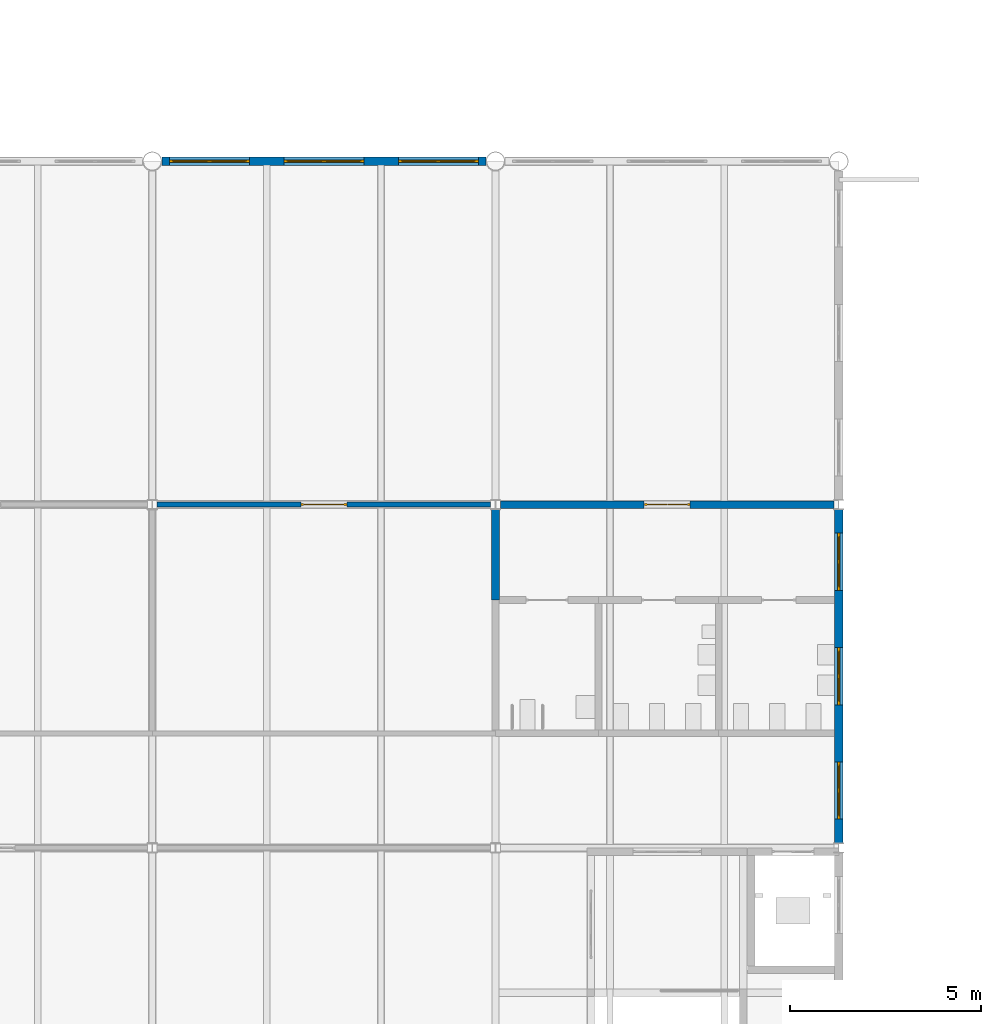
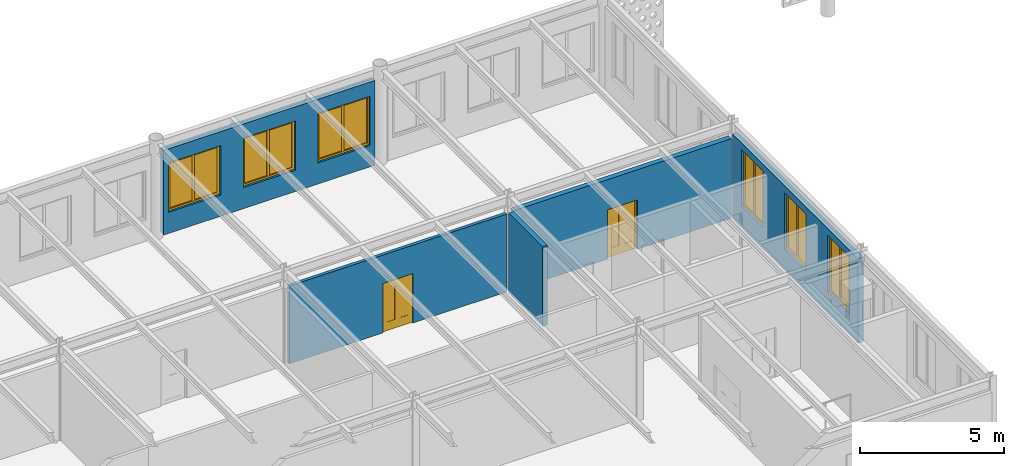
# One storey, part 78 of 123: 6 windows, 5 walls, 2 doors, 8 openings.
"""IFC4 building model written with IfcOpenShell, lengths in metres."""

import ifcopenshell
import ifcopenshell.guid

model = None  # the IFC model being written
_history = None  # IfcOwnerHistory: only IFC2X3 demands one
_inside = {}  # id of a spatial element -> (the spatial element, [elements in it])
_under = {}  # id of a project, library or spatial element -> (it, [spatial elements below it])
_declared = {}  # id of a project -> (the project, [libraries it declares])
_typed = {}  # id of a type object -> (the type object, [elements of that type])
_made_of = {}  # id of a material, layer set ... -> (it, [elements and type objects made of it])


def new_model(schema):
    """Start an empty IFC model of exactly this schema.

    Asked for "IFC4X3", IfcOpenShell would pick the latest addendum, in which some entities
    have other attributes; the version numbers below select the first issue.
    IFC2X3 requires an IfcOwnerHistory on every rooted entity: one is made here for all.
    """
    global model, _history
    if schema == "IFC4X3":
        model = ifcopenshell.file(schema_version=(4, 3, 0, 0))
    else:
        model = ifcopenshell.file(schema=schema)
    _inside.clear()
    _under.clear()
    _declared.clear()
    _typed.clear()
    _made_of.clear()
    _history = None
    if model.schema == "IFC2X3":
        org = make("IfcOrganization", Name="unknown")
        user = make(
            "IfcPersonAndOrganization",
            ThePerson=make("IfcPerson", FamilyName="unknown"),
            TheOrganization=org,
        )
        app = make(
            "IfcApplication",
            ApplicationDeveloper=org,
            Version="unknown",
            ApplicationFullName="unknown",
            ApplicationIdentifier="unknown",
        )
        _history = make(
            "IfcOwnerHistory",
            OwningUser=user,
            OwningApplication=app,
            ChangeAction="ADDED",
            CreationDate=0,
        )
    return model


def make(cls, **values):
    """One entity of the class cls with the attributes given. An attribute that is None is left unset."""
    return model.create_entity(
        cls, **{name: value for name, value in values.items() if value is not None}
    )


def rooted(cls, **values):
    """An entity with a GlobalId (a new one), such as an element, a storey or a relation."""
    return make(cls, GlobalId=ifcopenshell.guid.new(), OwnerHistory=_history, **values)


def si_unit(unit_type, name, prefix=None):
    """IfcSIUnit, for example si_unit("LENGTHUNIT", "METRE", prefix="MILLI")."""
    return make("IfcSIUnit", UnitType=unit_type, Prefix=prefix, Name=name)


def assignment(units):
    """IfcUnitAssignment: the units of a project."""
    return None if units is None else make("IfcUnitAssignment", Units=units)


def point(xyz):
    """IfcCartesianPoint."""
    return None if xyz is None else make("IfcCartesianPoint", Coordinates=xyz)


def direction(xyz):
    """IfcDirection."""
    return None if xyz is None else make("IfcDirection", DirectionRatios=xyz)


def frame(location, z_axis=None, x_axis=None):
    """IfcAxis2Placement3D, a coordinate frame: its origin and axes. An axis left out is left unset."""
    return make(
        "IfcAxis2Placement3D",
        Location=point(location),
        Axis=direction(z_axis),
        RefDirection=direction(x_axis),
    )


def frame_2d(location, x_axis=None):
    """IfcAxis2Placement2D, a coordinate frame in the plane: its origin and x axis."""
    return make(
        "IfcAxis2Placement2D", Location=point(location), RefDirection=direction(x_axis)
    )


def origin():
    """The frame at (0, 0, 0) with its axes left unset."""
    return frame((0.0, 0.0, 0.0))


def place(relative_to, where):
    """IfcLocalPlacement: puts the frame where relative to a parent placement (None: the world)."""
    return make(
        "IfcLocalPlacement", PlacementRelTo=relative_to, RelativePlacement=where
    )


def context(
    kind, dimensions, precision=None, world=None, true_north=None, identifier=None
):
    """IfcGeometricRepresentationContext, for example the 3D "Model" context."""
    return make(
        "IfcGeometricRepresentationContext",
        ContextIdentifier=identifier,
        ContextType=kind,
        CoordinateSpaceDimension=dimensions,
        Precision=precision,
        WorldCoordinateSystem=world,
        TrueNorth=true_north,
    )


def subcontext(parent, identifier, kind, view, scale=None):
    """IfcGeometricRepresentationSubContext, for example "Body" below "Model"."""
    return make(
        "IfcGeometricRepresentationSubContext",
        ContextIdentifier=identifier,
        ContextType=kind,
        ParentContext=parent,
        TargetScale=scale,
        TargetView=view,
    )


def project(units=None, contexts=None):
    """IfcProject with its units and contexts."""
    return rooted(
        "IfcProject",
        Name="project",
        RepresentationContexts=contexts,
        UnitsInContext=assignment(units),
    )


def spatial(cls, under=None, at=None, **own):
    """A site, building, storey or space (cls), placed at a placement, below another one or the project."""
    s = rooted(cls, ObjectPlacement=at, **own)
    if under is not None:
        _under.setdefault(under.id(), (under, []))[1].append(s)
    return s


def polyline(points):
    """IfcPolyline through the points."""
    return make("IfcPolyline", Points=[point(p) for p in points])


def profile(cls, at=None, kind="AREA", **sizes):
    """A parametric profile (cls). Its sizes go by their IFC names, for example OverallWidth=200.0."""
    return make(cls, ProfileType=kind, Position=at, **sizes)


def rectangle(**sizes):
    """IfcRectangleProfileDef."""
    return profile("IfcRectangleProfileDef", **sizes)


def outline(outer, holes=None, kind="AREA"):
    """IfcArbitraryClosedProfileDef: a profile drawn as a closed curve; with holes, ...WithVoids."""
    if holes is None:
        return make("IfcArbitraryClosedProfileDef", ProfileType=kind, OuterCurve=outer)
    return make(
        "IfcArbitraryProfileDefWithVoids",
        ProfileType=kind,
        OuterCurve=outer,
        InnerCurves=holes,
    )


def extrude(swept, where, along, depth):
    """IfcExtrudedAreaSolid: the profile swept, set in the frame where, extruded along a direction by depth."""
    return make(
        "IfcExtrudedAreaSolid",
        SweptArea=swept,
        Position=where,
        ExtrudedDirection=direction(along),
        Depth=depth,
    )


def shape(context_of_items, identifier, shape_type, items):
    """IfcShapeRepresentation: the items that make up one representation, for example the "Body"."""
    return make(
        "IfcShapeRepresentation",
        ContextOfItems=context_of_items,
        RepresentationIdentifier=identifier,
        RepresentationType=shape_type,
        Items=items,
    )


def material(Name=None, Category=None):
    """IfcMaterial."""
    return make("IfcMaterial", Name=Name, Category=Category)


def layer(
    of_material, thickness, ventilated=None, Name=None, Category=None, Priority=None
):
    """IfcMaterialLayer: one layer of a wall or slab, of a material (None: an air gap)."""
    return make(
        "IfcMaterialLayer",
        Material=of_material,
        LayerThickness=thickness,
        IsVentilated=ventilated,
        Name=Name,
        Category=Category,
        Priority=Priority,
    )


def layer_set(layers, Name=None):
    """IfcMaterialLayerSet."""
    return make("IfcMaterialLayerSet", MaterialLayers=layers, LayerSetName=Name)


def made_of(thing, what):
    """Note that an element or type object is made of a material, layer set ...; save() writes the relation."""
    if what is not None:
        _made_of.setdefault(what.id(), (what, []))[1].append(thing)
    return thing


def type_object(cls, material=None, **own):
    """A type object (cls), such as IfcWallType, which elements share."""
    return made_of(rooted(cls, **own), material)


def element(
    cls,
    number,
    at=None,
    inside=None,
    cuts=None,
    type_object=None,
    material=None,
    context=None,
    identifier="Body",
    shape_type=None,
    held_by="IfcProductDefinitionShape",
    body=None,
    shapes=None,
    **own,
):
    """One element of the class cls, such as IfcWall. Its Tag is "e" and its number.

    at: its placement. inside: the storey or other place that contains it. cuts: it is an
    opening in that element (IfcRelVoidsElement). A single representation is given by context,
    identifier, shape_type and body (its items); several are given by shapes. held_by: the class
    of the entity that holds the representations. save() writes the other relations.
    """
    e = rooted(cls, Tag="e%d" % number, ObjectPlacement=at, **own)
    if body is not None:
        shapes = [shape(context, identifier, shape_type, body)]
    if shapes is not None:
        e.Representation = make(held_by, Representations=shapes)
    if inside is not None:
        _inside.setdefault(inside.id(), (inside, []))[1].append(e)
    if cuts is not None:
        rooted(
            "IfcRelVoidsElement", RelatingBuildingElement=cuts, RelatedOpeningElement=e
        )
    if type_object is not None:
        _typed.setdefault(type_object.id(), (type_object, []))[1].append(e)
    return made_of(e, material)


def fill(opening, filler):
    """IfcRelFillsElement: the door or window that sits in an opening."""
    return rooted(
        "IfcRelFillsElement",
        RelatingOpeningElement=opening,
        RelatedBuildingElement=filler,
    )


def aggregate(whole, parts):
    """IfcRelAggregates: a whole, such as a stair, and the parts it consists of."""
    return rooted("IfcRelAggregates", RelatingObject=whole, RelatedObjects=parts)


def save(model, path):
    """Write the relations noted so far, then the file.

    IfcRelAggregates (storeys below a building ...), IfcRelContainedInSpatialStructure (elements
    in a storey), IfcRelDefinesByType, IfcRelAssociatesMaterial and IfcRelDeclares: one each for
    every whole, place, type object, material and project.
    """
    for whole, parts in _under.values():
        aggregate(whole, parts)
    for where, things in _inside.values():
        rooted(
            "IfcRelContainedInSpatialStructure",
            RelatedElements=things,
            RelatingStructure=where,
        )
    for kind, things in _typed.values():
        rooted("IfcRelDefinesByType", RelatedObjects=things, RelatingType=kind)
    for what, things in _made_of.values():
        rooted("IfcRelAssociatesMaterial", RelatedObjects=things, RelatingMaterial=what)
    for by, libraries in _declared.values():
        rooted("IfcRelDeclares", RelatingContext=by, RelatedDefinitions=libraries)
    model.write(path)


model = new_model("IFC4")

# Units and contexts
model_context = context("Model", 3, precision=1e-05, world=origin(), true_north=direction((0.0, 1.0)))
body_context = subcontext(model_context, "Body", "Model", "MODEL_VIEW")
ifc_project = project(units=[si_unit("LENGTHUNIT", "METRE"), si_unit("AREAUNIT", "SQUARE_METRE"), si_unit("VOLUMEUNIT", "CUBIC_METRE"), si_unit("PLANEANGLEUNIT", "RADIAN"), si_unit("MASSUNIT", "GRAM", prefix="KILO")], contexts=[model_context])

# Site, building, storey
site_placement = place(None, origin())
site = spatial("IfcSite", under=ifc_project, at=site_placement, CompositionType="ELEMENT")
building_placement = place(site_placement, origin())
building = spatial("IfcBuilding", under=site, at=building_placement, Name="Baradari Gate Terminus", CompositionType="ELEMENT")
storey_placement = place(building_placement, frame((0.0, 0.0, 7.5)))
storey = spatial("IfcBuildingStorey", under=building, at=storey_placement, Name="L01", CompositionType="ELEMENT", Elevation=7.5)

# Wall, opening, door
ifc_material_1 = material(Name="Gypsum board")
ifc_layer_1 = layer(ifc_material_1, 0.125)
ifc_layer_set_1 = layer_set([ifc_layer_1], Name="Gypsum board")
wall_type_1 = type_object("IfcWallType", Name="Corridor partition PT-5 125 EI 30", PredefinedType="PARTITIONING", material=ifc_layer_set_1)
wall_1_placement = place(storey_placement, frame((143.871826171875, 27.0, 0.0), z_axis=(0.0, 0.0, 1.0), x_axis=(-1.0, 0.0, 0.0)))
wall_1 = element("IfcWall", 1, at=wall_1_placement, inside=storey, type_object=wall_type_1, Name="PT-5 partition South Gallery / South Wing Office 6", PredefinedType="PARTITIONING", context=body_context, shape_type="SweptSolid", body=[
    extrude(rectangle(XDim=8.74365234375, YDim=0.125, at=frame_2d((4.371826171875, 0.0))), origin(), (0.0, 0.0, 1.0), 3.306884765625),
])
opening_1_placement = place(wall_1_placement, frame((3.771728515625, 0.0, 0.0)))
opening_1 = element("IfcOpeningElement", 2, at=opening_1_placement, cuts=wall_1, Name="Opening D01-076", PredefinedType="OPENING", context=body_context, shape_type="SweptSolid", body=[
    extrude(rectangle(XDim=1.199951171875, YDim=2.10009765625, at=frame_2d((0.60009765625, 1.050048828125))), frame((0.0, 0.072509765625, 0.0), z_axis=(0.0, -1.0, 0.0), x_axis=(1.0, 0.0, 0.0)), (0.0, 0.0, 1.0), 0.14501953125),
])
ifc_material_2 = material(Name="Steel S275", Category="steel")
door_type_1 = type_object("IfcDoorType", Name="Fire door FI-1200-FD30S 1200x2100 FD30S", OperationType="DOUBLE_DOOR_SINGLE_SWING", PredefinedType="DOOR", material=ifc_material_2)
door_1_placement = place(opening_1_placement, origin())
door_1 = element("IfcDoor", 3, at=door_1_placement, inside=storey, type_object=door_type_1, Name="Door South Wing Office 6", OperationType="DOUBLE_DOOR_SINGLE_SWING", OverallHeight=2.1, OverallWidth=1.2, PredefinedType="DOOR", context=body_context, shape_type="SweptSolid", body=[
    extrude(outline(polyline([(0.0, 0.0), (0.070068359375, 0.0), (0.070068359375, 2.030029296875), (1.1298828125, 2.030029296875), (1.1298828125, 0.0), (1.199951171875, 0.0), (1.199951171875, 2.10009765625), (0.0, 2.10009765625), (0.0, 0.0)])), frame((0.0, 0.02490234375, 0.0), z_axis=(0.0, -1.0, 0.0), x_axis=(1.0, 0.0, 0.0)), (0.0, 0.0, 1.0), 0.050048828125),
    extrude(outline(polyline([(0.073974609375, 0.010009765625), (0.596923828125, 0.010009765625), (0.596923828125, 2.026123046875), (0.073974609375, 2.026123046875), (0.073974609375, 0.010009765625)]), holes=[polyline([(0.178466796875, 0.372802734375), (0.492431640625, 0.372802734375), (0.492431640625, 1.7841796875), (0.178466796875, 1.7841796875), (0.178466796875, 0.372802734375)])]), frame((0.0, 0.017333984375, 0.0), z_axis=(0.0, -1.0, 0.0), x_axis=(1.0, 0.0, 0.0)), (0.0, 0.0, 1.0), 0.034912109375),
    extrude(rectangle(XDim=0.31396484375, YDim=1.411376953125, at=frame_2d((0.33544921875, 1.07861328125))), frame((0.0, 0.008544921875, 0.0), z_axis=(0.0, -1.0, 0.0), x_axis=(1.0, 0.0, 0.0)), (0.0, 0.0, 1.0), 0.017333984375),
    extrude(outline(polyline([(0.60302734375, 0.010009765625), (1.1259765625, 0.010009765625), (1.1259765625, 2.026123046875), (0.60302734375, 2.026123046875), (0.60302734375, 0.010009765625)]), holes=[polyline([(0.70751953125, 0.372802734375), (1.021484375, 0.372802734375), (1.021484375, 1.7841796875), (0.70751953125, 1.7841796875), (0.70751953125, 0.372802734375)])]), frame((0.0, 0.017333984375, 0.0), z_axis=(0.0, -1.0, 0.0), x_axis=(1.0, 0.0, 0.0)), (0.0, 0.0, 1.0), 0.034912109375),
    extrude(rectangle(XDim=0.31396484375, YDim=1.411376953125, at=frame_2d((0.864501953125, 1.07861328125))), frame((0.0, 0.008544921875, 0.0), z_axis=(0.0, -1.0, 0.0), x_axis=(1.0, 0.0, 0.0)), (0.0, 0.0, 1.0), 0.017333984375),
])
fill(opening_1, door_1)

# Wall, openings, windows
ifc_material_3 = material(Name="Light ochre laterite masonry", Category="masonry")
ifc_layer_2 = layer(ifc_material_3, 0.219970703125)
ifc_layer_set_2 = layer_set([ifc_layer_2], Name="Light ochre laterite masonry")
wall_type_2 = type_object("IfcWallType", Name="Laterite masonry wall WP-2 220", PredefinedType="SOLIDWALL", material=ifc_layer_set_2)
wall_2_placement = place(storey_placement, frame((153.0, 18.130126953125, 0.0), z_axis=(0.0, 0.0, 1.0), x_axis=(0.0, 1.0, 0.0)))
wall_2 = element("IfcWall", 4, at=wall_2_placement, inside=storey, type_object=wall_type_2, Name="east end wall SE bay 3 L01", PredefinedType="SOLIDWALL", context=body_context, shape_type="SweptSolid", body=[
    extrude(rectangle(XDim=8.73974609375, YDim=0.219970703125, at=frame_2d((4.369873046875, 0.0))), origin(), (0.0, 0.0, 1.0), 3.5966796875),
])
opening_2_placement = place(wall_2_placement, frame((0.619873046875, 0.0, 0.89990234375)))
opening_2 = element("IfcOpeningElement", 5, at=opening_2_placement, cuts=wall_2, Name="Opening W1", PredefinedType="OPENING", context=body_context, shape_type="SweptSolid", body=[
    extrude(rectangle(XDim=1.5, YDim=2.39990234375, at=frame_2d((0.75, 1.199951171875))), frame((0.0, 0.119873046875, 0.0), z_axis=(0.0, -1.0, 0.0), x_axis=(1.0, 0.0, 0.0)), (0.0, 0.0, 1.0), 0.239990234375),
])
opening_3_placement = place(wall_2_placement, frame((3.619873046875, 0.0, 0.89990234375)))
opening_3 = element("IfcOpeningElement", 6, at=opening_3_placement, cuts=wall_2, Name="Opening W1", PredefinedType="OPENING", context=body_context, shape_type="SweptSolid", body=[
    extrude(rectangle(XDim=1.5, YDim=2.39990234375, at=frame_2d((0.75, 1.199951171875))), frame((0.0, 0.119873046875, 0.0), z_axis=(0.0, -1.0, 0.0), x_axis=(1.0, 0.0, 0.0)), (0.0, 0.0, 1.0), 0.239990234375),
])
opening_4_placement = place(wall_2_placement, frame((6.619873046875, 0.0, 0.89990234375)))
opening_4 = element("IfcOpeningElement", 7, at=opening_4_placement, cuts=wall_2, Name="Opening W1", PredefinedType="OPENING", context=body_context, shape_type="SweptSolid", body=[
    extrude(rectangle(XDim=1.5, YDim=2.39990234375, at=frame_2d((0.75, 1.199951171875))), frame((0.0, 0.119873046875, 0.0), z_axis=(0.0, -1.0, 0.0), x_axis=(1.0, 0.0, 0.0)), (0.0, 0.0, 1.0), 0.239990234375),
])
ifc_material_4 = material(Name="Aluminium 6063-T6", Category="aluminium")
window_type_1 = type_object("IfcWindowType", Name="Punched window, 2-light W1 1500x2400", PartitioningType="DOUBLE_PANEL_VERTICAL", PredefinedType="WINDOW", material=ifc_material_4)
window_1_placement = place(opening_2_placement, origin())
window_1 = element("IfcWindow", 8, at=window_1_placement, inside=storey, type_object=window_type_1, Name="Window W1 SE/02", OverallHeight=2.4, OverallWidth=1.5, PartitioningType="DOUBLE_PANEL_VERTICAL", PredefinedType="WINDOW", context=body_context, shape_type="SweptSolid", body=[
    extrude(outline(polyline([(0.0, 0.0), (1.5, 0.0), (1.5, 2.39990234375), (0.0, 2.39990234375), (0.0, 0.0)]), holes=[polyline([(0.070068359375, 0.070068359375), (1.429931640625, 0.070068359375), (1.429931640625, 2.329833984375), (0.070068359375, 2.329833984375), (0.070068359375, 0.070068359375)])]), frame((0.0, 0.030029296875, 0.0), z_axis=(0.0, -1.0, 0.0), x_axis=(1.0, 0.0, 0.0)), (0.0, 0.0, 1.0), 0.06005859375),
    extrude(rectangle(XDim=0.0400390625, YDim=2.259765625, at=frame_2d((0.75, 1.199951171875))), frame((0.0, 0.02197265625, 0.0), z_axis=(0.0, -1.0, 0.0), x_axis=(1.0, 0.0, 0.0)), (0.0, 0.0, 1.0), 0.0439453125),
    extrude(outline(polyline([(0.070068359375, 0.070068359375), (0.72998046875, 0.070068359375), (0.72998046875, 2.329833984375), (0.070068359375, 2.329833984375), (0.070068359375, 0.070068359375)]), holes=[polyline([(0.10009765625, 0.10009765625), (0.699951171875, 0.10009765625), (0.699951171875, 2.2998046875), (0.10009765625, 2.2998046875), (0.10009765625, 0.10009765625)])]), frame((0.0, 0.0224609375, 0.0), z_axis=(0.0, -1.0, 0.0), x_axis=(1.0, 0.0, 0.0)), (0.0, 0.0, 1.0), 0.044921875),
    extrude(rectangle(XDim=0.599853515625, YDim=2.19970703125, at=frame_2d((0.39990234375, 1.199951171875))), frame((0.0, 0.006103515625, 0.0), z_axis=(0.0, -1.0, 0.0), x_axis=(1.0, 0.0, 0.0)), (0.0, 0.0, 1.0), 0.01220703125),
    extrude(outline(polyline([(0.77001953125, 0.070068359375), (1.429931640625, 0.070068359375), (1.429931640625, 2.329833984375), (0.77001953125, 2.329833984375), (0.77001953125, 0.070068359375)]), holes=[polyline([(0.800048828125, 0.10009765625), (1.39990234375, 0.10009765625), (1.39990234375, 2.2998046875), (0.800048828125, 2.2998046875), (0.800048828125, 0.10009765625)])]), frame((0.0, 0.0224609375, 0.0), z_axis=(0.0, -1.0, 0.0), x_axis=(1.0, 0.0, 0.0)), (0.0, 0.0, 1.0), 0.044921875),
    extrude(rectangle(XDim=0.599853515625, YDim=2.19970703125, at=frame_2d((1.10009765625, 1.199951171875))), frame((0.0, 0.006103515625, 0.0), z_axis=(0.0, -1.0, 0.0), x_axis=(1.0, 0.0, 0.0)), (0.0, 0.0, 1.0), 0.01220703125),
])
fill(opening_2, window_1)
window_2_placement = place(opening_3_placement, origin())
window_2 = element("IfcWindow", 9, at=window_2_placement, inside=storey, type_object=window_type_1, Name="Window W1 SE/02", OverallHeight=2.4, OverallWidth=1.5, PartitioningType="DOUBLE_PANEL_VERTICAL", PredefinedType="WINDOW", context=body_context, shape_type="SweptSolid", body=[
    extrude(outline(polyline([(0.0, 0.0), (1.5, 0.0), (1.5, 2.39990234375), (0.0, 2.39990234375), (0.0, 0.0)]), holes=[polyline([(0.070068359375, 0.070068359375), (1.429931640625, 0.070068359375), (1.429931640625, 2.329833984375), (0.070068359375, 2.329833984375), (0.070068359375, 0.070068359375)])]), frame((0.0, 0.030029296875, 0.0), z_axis=(0.0, -1.0, 0.0), x_axis=(1.0, 0.0, 0.0)), (0.0, 0.0, 1.0), 0.06005859375),
    extrude(rectangle(XDim=0.0400390625, YDim=2.259765625, at=frame_2d((0.75, 1.199951171875))), frame((0.0, 0.02197265625, 0.0), z_axis=(0.0, -1.0, 0.0), x_axis=(1.0, 0.0, 0.0)), (0.0, 0.0, 1.0), 0.0439453125),
    extrude(outline(polyline([(0.070068359375, 0.070068359375), (0.72998046875, 0.070068359375), (0.72998046875, 2.329833984375), (0.070068359375, 2.329833984375), (0.070068359375, 0.070068359375)]), holes=[polyline([(0.10009765625, 0.10009765625), (0.699951171875, 0.10009765625), (0.699951171875, 2.2998046875), (0.10009765625, 2.2998046875), (0.10009765625, 0.10009765625)])]), frame((0.0, 0.0224609375, 0.0), z_axis=(0.0, -1.0, 0.0), x_axis=(1.0, 0.0, 0.0)), (0.0, 0.0, 1.0), 0.044921875),
    extrude(rectangle(XDim=0.599853515625, YDim=2.19970703125, at=frame_2d((0.39990234375, 1.199951171875))), frame((0.0, 0.006103515625, 0.0), z_axis=(0.0, -1.0, 0.0), x_axis=(1.0, 0.0, 0.0)), (0.0, 0.0, 1.0), 0.01220703125),
    extrude(outline(polyline([(0.77001953125, 0.070068359375), (1.429931640625, 0.070068359375), (1.429931640625, 2.329833984375), (0.77001953125, 2.329833984375), (0.77001953125, 0.070068359375)]), holes=[polyline([(0.800048828125, 0.10009765625), (1.39990234375, 0.10009765625), (1.39990234375, 2.2998046875), (0.800048828125, 2.2998046875), (0.800048828125, 0.10009765625)])]), frame((0.0, 0.0224609375, 0.0), z_axis=(0.0, -1.0, 0.0), x_axis=(1.0, 0.0, 0.0)), (0.0, 0.0, 1.0), 0.044921875),
    extrude(rectangle(XDim=0.599853515625, YDim=2.19970703125, at=frame_2d((1.10009765625, 1.199951171875))), frame((0.0, 0.006103515625, 0.0), z_axis=(0.0, -1.0, 0.0), x_axis=(1.0, 0.0, 0.0)), (0.0, 0.0, 1.0), 0.01220703125),
])
fill(opening_3, window_2)
window_3_placement = place(opening_4_placement, origin())
window_3 = element("IfcWindow", 10, at=window_3_placement, inside=storey, type_object=window_type_1, Name="Window W1 SE/02", OverallHeight=2.4, OverallWidth=1.5, PartitioningType="DOUBLE_PANEL_VERTICAL", PredefinedType="WINDOW", context=body_context, shape_type="SweptSolid", body=[
    extrude(outline(polyline([(0.0, 0.0), (1.5, 0.0), (1.5, 2.39990234375), (0.0, 2.39990234375), (0.0, 0.0)]), holes=[polyline([(0.070068359375, 0.070068359375), (1.429931640625, 0.070068359375), (1.429931640625, 2.329833984375), (0.070068359375, 2.329833984375), (0.070068359375, 0.070068359375)])]), frame((0.0, 0.030029296875, 0.0), z_axis=(0.0, -1.0, 0.0), x_axis=(1.0, 0.0, 0.0)), (0.0, 0.0, 1.0), 0.06005859375),
    extrude(rectangle(XDim=0.0400390625, YDim=2.259765625, at=frame_2d((0.75, 1.199951171875))), frame((0.0, 0.02197265625, 0.0), z_axis=(0.0, -1.0, 0.0), x_axis=(1.0, 0.0, 0.0)), (0.0, 0.0, 1.0), 0.0439453125),
    extrude(outline(polyline([(0.070068359375, 0.070068359375), (0.72998046875, 0.070068359375), (0.72998046875, 2.329833984375), (0.070068359375, 2.329833984375), (0.070068359375, 0.070068359375)]), holes=[polyline([(0.10009765625, 0.10009765625), (0.699951171875, 0.10009765625), (0.699951171875, 2.2998046875), (0.10009765625, 2.2998046875), (0.10009765625, 0.10009765625)])]), frame((0.0, 0.0224609375, 0.0), z_axis=(0.0, -1.0, 0.0), x_axis=(1.0, 0.0, 0.0)), (0.0, 0.0, 1.0), 0.044921875),
    extrude(rectangle(XDim=0.599853515625, YDim=2.19970703125, at=frame_2d((0.39990234375, 1.199951171875))), frame((0.0, 0.006103515625, 0.0), z_axis=(0.0, -1.0, 0.0), x_axis=(1.0, 0.0, 0.0)), (0.0, 0.0, 1.0), 0.01220703125),
    extrude(outline(polyline([(0.77001953125, 0.070068359375), (1.429931640625, 0.070068359375), (1.429931640625, 2.329833984375), (0.77001953125, 2.329833984375), (0.77001953125, 0.070068359375)]), holes=[polyline([(0.800048828125, 0.10009765625), (1.39990234375, 0.10009765625), (1.39990234375, 2.2998046875), (0.800048828125, 2.2998046875), (0.800048828125, 0.10009765625)])]), frame((0.0, 0.0224609375, 0.0), z_axis=(0.0, -1.0, 0.0), x_axis=(1.0, 0.0, 0.0)), (0.0, 0.0, 1.0), 0.044921875),
    extrude(rectangle(XDim=0.599853515625, YDim=2.19970703125, at=frame_2d((1.10009765625, 1.199951171875))), frame((0.0, 0.006103515625, 0.0), z_axis=(0.0, -1.0, 0.0), x_axis=(1.0, 0.0, 0.0)), (0.0, 0.0, 1.0), 0.01220703125),
])
fill(opening_4, window_3)

wall_3_placement = place(storey_placement, frame((135.25390625, 36.0, 0.0), z_axis=(0.0, 0.0, 1.0), x_axis=(1.0, 0.0, 0.0)))
wall_3 = element("IfcWall", 11, at=wall_3_placement, inside=storey, type_object=wall_type_2, Name="platform side wall SN bay 16 L01", PredefinedType="SOLIDWALL", context=body_context, shape_type="SweptSolid", body=[
    extrude(rectangle(XDim=8.4921875, YDim=0.219970703125, at=frame_2d((4.24609375, 0.0))), origin(), (0.0, 0.0, 1.0), 3.5966796875),
])
opening_5_placement = place(wall_3_placement, frame((0.196044921875, 0.0, 0.89990234375)))
opening_5 = element("IfcOpeningElement", 12, at=opening_5_placement, cuts=wall_3, Name="Opening W13", PredefinedType="OPENING", context=body_context, shape_type="SweptSolid", body=[
    extrude(rectangle(XDim=2.10009765625, YDim=2.10009765625, at=frame_2d((1.050048828125, 1.050048828125))), frame((0.0, 0.119873046875, 0.0), z_axis=(0.0, -1.0, 0.0), x_axis=(1.0, 0.0, 0.0)), (0.0, 0.0, 1.0), 0.239990234375),
])
opening_6_placement = place(wall_3_placement, frame((3.196044921875, 0.0, 0.89990234375)))
opening_6 = element("IfcOpeningElement", 13, at=opening_6_placement, cuts=wall_3, Name="Opening W13", PredefinedType="OPENING", context=body_context, shape_type="SweptSolid", body=[
    extrude(rectangle(XDim=2.10009765625, YDim=2.10009765625, at=frame_2d((1.050048828125, 1.050048828125))), frame((0.0, 0.119873046875, 0.0), z_axis=(0.0, -1.0, 0.0), x_axis=(1.0, 0.0, 0.0)), (0.0, 0.0, 1.0), 0.239990234375),
])
opening_7_placement = place(wall_3_placement, frame((6.196044921875, 0.0, 0.89990234375)))
opening_7 = element("IfcOpeningElement", 14, at=opening_7_placement, cuts=wall_3, Name="Opening W13", PredefinedType="OPENING", context=body_context, shape_type="SweptSolid", body=[
    extrude(rectangle(XDim=2.10009765625, YDim=2.10009765625, at=frame_2d((1.050048828125, 1.050048828125))), frame((0.0, 0.119873046875, 0.0), z_axis=(0.0, -1.0, 0.0), x_axis=(1.0, 0.0, 0.0)), (0.0, 0.0, 1.0), 0.239990234375),
])
ifc_material_5 = material(Name="Aluminium 6063-T6", Category="aluminium")
window_type_2 = type_object("IfcWindowType", Name="Platform-side office window W13 2100x2100", PartitioningType="DOUBLE_PANEL_VERTICAL", PredefinedType="WINDOW", material=ifc_material_5)
window_4_placement = place(opening_5_placement, origin())
window_4 = element("IfcWindow", 15, at=window_4_placement, inside=storey, type_object=window_type_2, Name="Window W13 SN/15", OverallHeight=2.1, OverallWidth=2.1, PartitioningType="DOUBLE_PANEL_VERTICAL", PredefinedType="WINDOW", context=body_context, shape_type="SweptSolid", body=[
    extrude(outline(polyline([(0.0, 0.0), (2.10009765625, 0.0), (2.10009765625, 2.10009765625), (0.0, 2.10009765625), (0.0, 0.0)]), holes=[polyline([(0.070068359375, 0.070068359375), (2.030029296875, 0.070068359375), (2.030029296875, 2.030029296875), (0.070068359375, 2.030029296875), (0.070068359375, 0.070068359375)])]), frame((0.0, 0.030029296875, 0.0), z_axis=(0.0, -1.0, 0.0), x_axis=(1.0, 0.0, 0.0)), (0.0, 0.0, 1.0), 0.06005859375),
    extrude(rectangle(XDim=0.0400390625, YDim=1.9599609375, at=frame_2d((1.050048828125, 1.050048828125))), frame((0.0, 0.02197265625, 0.0), z_axis=(0.0, -1.0, 0.0), x_axis=(1.0, 0.0, 0.0)), (0.0, 0.0, 1.0), 0.0439453125),
    extrude(outline(polyline([(0.070068359375, 0.070068359375), (1.030029296875, 0.070068359375), (1.030029296875, 2.030029296875), (0.070068359375, 2.030029296875), (0.070068359375, 0.070068359375)]), holes=[polyline([(0.10009765625, 0.10009765625), (1.0, 0.10009765625), (1.0, 2.0), (0.10009765625, 2.0), (0.10009765625, 0.10009765625)])]), frame((0.0, 0.0224609375, 0.0), z_axis=(0.0, -1.0, 0.0), x_axis=(1.0, 0.0, 0.0)), (0.0, 0.0, 1.0), 0.044921875),
    extrude(rectangle(XDim=0.89990234375, YDim=1.89990234375, at=frame_2d((0.550048828125, 1.050048828125))), frame((0.0, 0.006103515625, 0.0), z_axis=(0.0, -1.0, 0.0), x_axis=(1.0, 0.0, 0.0)), (0.0, 0.0, 1.0), 0.01220703125),
    extrude(outline(polyline([(1.070068359375, 0.070068359375), (2.030029296875, 0.070068359375), (2.030029296875, 2.030029296875), (1.070068359375, 2.030029296875), (1.070068359375, 0.070068359375)]), holes=[polyline([(1.10009765625, 0.10009765625), (2.0, 0.10009765625), (2.0, 2.0), (1.10009765625, 2.0), (1.10009765625, 0.10009765625)])]), frame((0.0, 0.0224609375, 0.0), z_axis=(0.0, -1.0, 0.0), x_axis=(1.0, 0.0, 0.0)), (0.0, 0.0, 1.0), 0.044921875),
    extrude(rectangle(XDim=0.89990234375, YDim=1.89990234375, at=frame_2d((1.550048828125, 1.050048828125))), frame((0.0, 0.006103515625, 0.0), z_axis=(0.0, -1.0, 0.0), x_axis=(1.0, 0.0, 0.0)), (0.0, 0.0, 1.0), 0.01220703125),
])
fill(opening_5, window_4)
window_5_placement = place(opening_6_placement, origin())
window_5 = element("IfcWindow", 16, at=window_5_placement, inside=storey, type_object=window_type_2, Name="Window W13 SN/15", OverallHeight=2.1, OverallWidth=2.1, PartitioningType="DOUBLE_PANEL_VERTICAL", PredefinedType="WINDOW", context=body_context, shape_type="SweptSolid", body=[
    extrude(outline(polyline([(0.0, 0.0), (2.10009765625, 0.0), (2.10009765625, 2.10009765625), (0.0, 2.10009765625), (0.0, 0.0)]), holes=[polyline([(0.070068359375, 0.070068359375), (2.030029296875, 0.070068359375), (2.030029296875, 2.030029296875), (0.070068359375, 2.030029296875), (0.070068359375, 0.070068359375)])]), frame((0.0, 0.030029296875, 0.0), z_axis=(0.0, -1.0, 0.0), x_axis=(1.0, 0.0, 0.0)), (0.0, 0.0, 1.0), 0.06005859375),
    extrude(rectangle(XDim=0.0400390625, YDim=1.9599609375, at=frame_2d((1.050048828125, 1.050048828125))), frame((0.0, 0.02197265625, 0.0), z_axis=(0.0, -1.0, 0.0), x_axis=(1.0, 0.0, 0.0)), (0.0, 0.0, 1.0), 0.0439453125),
    extrude(outline(polyline([(0.070068359375, 0.070068359375), (1.030029296875, 0.070068359375), (1.030029296875, 2.030029296875), (0.070068359375, 2.030029296875), (0.070068359375, 0.070068359375)]), holes=[polyline([(0.10009765625, 0.10009765625), (1.0, 0.10009765625), (1.0, 2.0), (0.10009765625, 2.0), (0.10009765625, 0.10009765625)])]), frame((0.0, 0.0224609375, 0.0), z_axis=(0.0, -1.0, 0.0), x_axis=(1.0, 0.0, 0.0)), (0.0, 0.0, 1.0), 0.044921875),
    extrude(rectangle(XDim=0.89990234375, YDim=1.89990234375, at=frame_2d((0.550048828125, 1.050048828125))), frame((0.0, 0.006103515625, 0.0), z_axis=(0.0, -1.0, 0.0), x_axis=(1.0, 0.0, 0.0)), (0.0, 0.0, 1.0), 0.01220703125),
    extrude(outline(polyline([(1.070068359375, 0.070068359375), (2.030029296875, 0.070068359375), (2.030029296875, 2.030029296875), (1.070068359375, 2.030029296875), (1.070068359375, 0.070068359375)]), holes=[polyline([(1.10009765625, 0.10009765625), (2.0, 0.10009765625), (2.0, 2.0), (1.10009765625, 2.0), (1.10009765625, 0.10009765625)])]), frame((0.0, 0.0224609375, 0.0), z_axis=(0.0, -1.0, 0.0), x_axis=(1.0, 0.0, 0.0)), (0.0, 0.0, 1.0), 0.044921875),
    extrude(rectangle(XDim=0.89990234375, YDim=1.89990234375, at=frame_2d((1.550048828125, 1.050048828125))), frame((0.0, 0.006103515625, 0.0), z_axis=(0.0, -1.0, 0.0), x_axis=(1.0, 0.0, 0.0)), (0.0, 0.0, 1.0), 0.01220703125),
])
fill(opening_6, window_5)
window_6_placement = place(opening_7_placement, origin())
window_6 = element("IfcWindow", 17, at=window_6_placement, inside=storey, type_object=window_type_2, Name="Window W13 SN/15", OverallHeight=2.1, OverallWidth=2.1, PartitioningType="DOUBLE_PANEL_VERTICAL", PredefinedType="WINDOW", context=body_context, shape_type="SweptSolid", body=[
    extrude(outline(polyline([(0.0, 0.0), (2.10009765625, 0.0), (2.10009765625, 2.10009765625), (0.0, 2.10009765625), (0.0, 0.0)]), holes=[polyline([(0.070068359375, 0.070068359375), (2.030029296875, 0.070068359375), (2.030029296875, 2.030029296875), (0.070068359375, 2.030029296875), (0.070068359375, 0.070068359375)])]), frame((0.0, 0.030029296875, 0.0), z_axis=(0.0, -1.0, 0.0), x_axis=(1.0, 0.0, 0.0)), (0.0, 0.0, 1.0), 0.06005859375),
    extrude(rectangle(XDim=0.0400390625, YDim=1.9599609375, at=frame_2d((1.050048828125, 1.050048828125))), frame((0.0, 0.02197265625, 0.0), z_axis=(0.0, -1.0, 0.0), x_axis=(1.0, 0.0, 0.0)), (0.0, 0.0, 1.0), 0.0439453125),
    extrude(outline(polyline([(0.070068359375, 0.070068359375), (1.030029296875, 0.070068359375), (1.030029296875, 2.030029296875), (0.070068359375, 2.030029296875), (0.070068359375, 0.070068359375)]), holes=[polyline([(0.10009765625, 0.10009765625), (1.0, 0.10009765625), (1.0, 2.0), (0.10009765625, 2.0), (0.10009765625, 0.10009765625)])]), frame((0.0, 0.0224609375, 0.0), z_axis=(0.0, -1.0, 0.0), x_axis=(1.0, 0.0, 0.0)), (0.0, 0.0, 1.0), 0.044921875),
    extrude(rectangle(XDim=0.89990234375, YDim=1.89990234375, at=frame_2d((0.550048828125, 1.050048828125))), frame((0.0, 0.006103515625, 0.0), z_axis=(0.0, -1.0, 0.0), x_axis=(1.0, 0.0, 0.0)), (0.0, 0.0, 1.0), 0.01220703125),
    extrude(outline(polyline([(1.070068359375, 0.070068359375), (2.030029296875, 0.070068359375), (2.030029296875, 2.030029296875), (1.070068359375, 2.030029296875), (1.070068359375, 0.070068359375)]), holes=[polyline([(1.10009765625, 0.10009765625), (2.0, 0.10009765625), (2.0, 2.0), (1.10009765625, 2.0), (1.10009765625, 0.10009765625)])]), frame((0.0, 0.0224609375, 0.0), z_axis=(0.0, -1.0, 0.0), x_axis=(1.0, 0.0, 0.0)), (0.0, 0.0, 1.0), 0.044921875),
    extrude(rectangle(XDim=0.89990234375, YDim=1.89990234375, at=frame_2d((1.550048828125, 1.050048828125))), frame((0.0, 0.006103515625, 0.0), z_axis=(0.0, -1.0, 0.0), x_axis=(1.0, 0.0, 0.0)), (0.0, 0.0, 1.0), 0.01220703125),
])
fill(opening_7, window_6)

# Wall, opening, door
ifc_material_6 = material(Name="Blockwork wall, plastered, fire rated", Category="masonry")
ifc_layer_3 = layer(ifc_material_6, 0.199951171875)
ifc_layer_set_3 = layer_set([ifc_layer_3], Name="Blockwork wall, plastered, fire rated")
wall_type_3 = type_object("IfcWallType", Name="Lobby partition PT-4 200 EI 60", PredefinedType="PARTITIONING", material=ifc_layer_set_3)
wall_4_placement = place(storey_placement, frame((152.871826171875, 27.0, 0.0), z_axis=(0.0, 0.0, 1.0), x_axis=(-1.0, 0.0, 0.0)))
wall_4 = element("IfcWall", 18, at=wall_4_placement, inside=storey, type_object=wall_type_3, Name="PT-4 partition South Gallery / WC Lobby", PredefinedType="PARTITIONING", context=body_context, shape_type="SweptSolid", body=[
    extrude(rectangle(XDim=8.74365234375, YDim=0.199951171875, at=frame_2d((4.371826171875, 0.0))), origin(), (0.0, 0.0, 1.0), 3.382080078125),
])
opening_8_placement = place(wall_4_placement, frame((3.771728515625, 0.0, 0.0)))
opening_8 = element("IfcOpeningElement", 19, at=opening_8_placement, cuts=wall_4, Name="Opening D01-077", PredefinedType="OPENING", context=body_context, shape_type="SweptSolid", body=[
    extrude(rectangle(XDim=1.199951171875, YDim=2.10009765625, at=frame_2d((0.60009765625, 1.050048828125))), frame((0.0, 0.10986328125, 0.0), z_axis=(0.0, -1.0, 0.0), x_axis=(1.0, 0.0, 0.0)), (0.0, 0.0, 1.0), 0.219970703125),
])
ifc_material_7 = material(Name="Steel S275", Category="steel")
door_type_2 = type_object("IfcDoorType", Name="Fire door FI-1200-FD60S 1200x2100 FD60S", OperationType="DOUBLE_DOOR_SINGLE_SWING", PredefinedType="DOOR", material=ifc_material_7)
door_2_placement = place(opening_8_placement, origin())
door_2 = element("IfcDoor", 20, at=door_2_placement, inside=storey, type_object=door_type_2, Name="Door WC Lobby", OperationType="DOUBLE_DOOR_SINGLE_SWING", OverallHeight=2.1, OverallWidth=1.2, PredefinedType="DOOR", context=body_context, shape_type="SweptSolid", body=[
    extrude(outline(polyline([(0.0, 0.0), (0.070068359375, 0.0), (0.070068359375, 2.030029296875), (1.1298828125, 2.030029296875), (1.1298828125, 0.0), (1.199951171875, 0.0), (1.199951171875, 2.10009765625), (0.0, 2.10009765625), (0.0, 0.0)])), frame((0.0, 0.02490234375, 0.0), z_axis=(0.0, -1.0, 0.0), x_axis=(1.0, 0.0, 0.0)), (0.0, 0.0, 1.0), 0.050048828125),
    extrude(outline(polyline([(0.073974609375, 0.010009765625), (0.596923828125, 0.010009765625), (0.596923828125, 2.026123046875), (0.073974609375, 2.026123046875), (0.073974609375, 0.010009765625)]), holes=[polyline([(0.178466796875, 0.372802734375), (0.492431640625, 0.372802734375), (0.492431640625, 1.7841796875), (0.178466796875, 1.7841796875), (0.178466796875, 0.372802734375)])]), frame((0.0, 0.017333984375, 0.0), z_axis=(0.0, -1.0, 0.0), x_axis=(1.0, 0.0, 0.0)), (0.0, 0.0, 1.0), 0.034912109375),
    extrude(rectangle(XDim=0.31396484375, YDim=1.411376953125, at=frame_2d((0.33544921875, 1.07861328125))), frame((0.0, 0.008544921875, 0.0), z_axis=(0.0, -1.0, 0.0), x_axis=(1.0, 0.0, 0.0)), (0.0, 0.0, 1.0), 0.017333984375),
    extrude(outline(polyline([(0.60302734375, 0.010009765625), (1.1259765625, 0.010009765625), (1.1259765625, 2.026123046875), (0.60302734375, 2.026123046875), (0.60302734375, 0.010009765625)]), holes=[polyline([(0.70751953125, 0.372802734375), (1.021484375, 0.372802734375), (1.021484375, 1.7841796875), (0.70751953125, 1.7841796875), (0.70751953125, 0.372802734375)])]), frame((0.0, 0.017333984375, 0.0), z_axis=(0.0, -1.0, 0.0), x_axis=(1.0, 0.0, 0.0)), (0.0, 0.0, 1.0), 0.034912109375),
    extrude(rectangle(XDim=0.31396484375, YDim=1.411376953125, at=frame_2d((0.864501953125, 1.07861328125))), frame((0.0, 0.008544921875, 0.0), z_axis=(0.0, -1.0, 0.0), x_axis=(1.0, 0.0, 0.0)), (0.0, 0.0, 1.0), 0.017333984375),
])
fill(opening_8, door_2)

# Wall
wall_5_placement = place(storey_placement, frame((144.0, 26.869873046875, 0.0), z_axis=(0.0, 0.0, 1.0), x_axis=(0.0, -1.0, 0.0)))
element("IfcWall", 21, at=wall_5_placement, inside=storey, type_object=wall_type_3, Name="PT-4 partition South Wing Office 6 / WC Lobby", PredefinedType="PARTITIONING", context=body_context, shape_type="SweptSolid", body=[
    extrude(rectangle(XDim=2.369873046875, YDim=0.199951171875, at=frame_2d((1.18505859375, 0.0))), origin(), (0.0, 0.0, 1.0), 3.382080078125),
])

save(model, "model.ifc")
